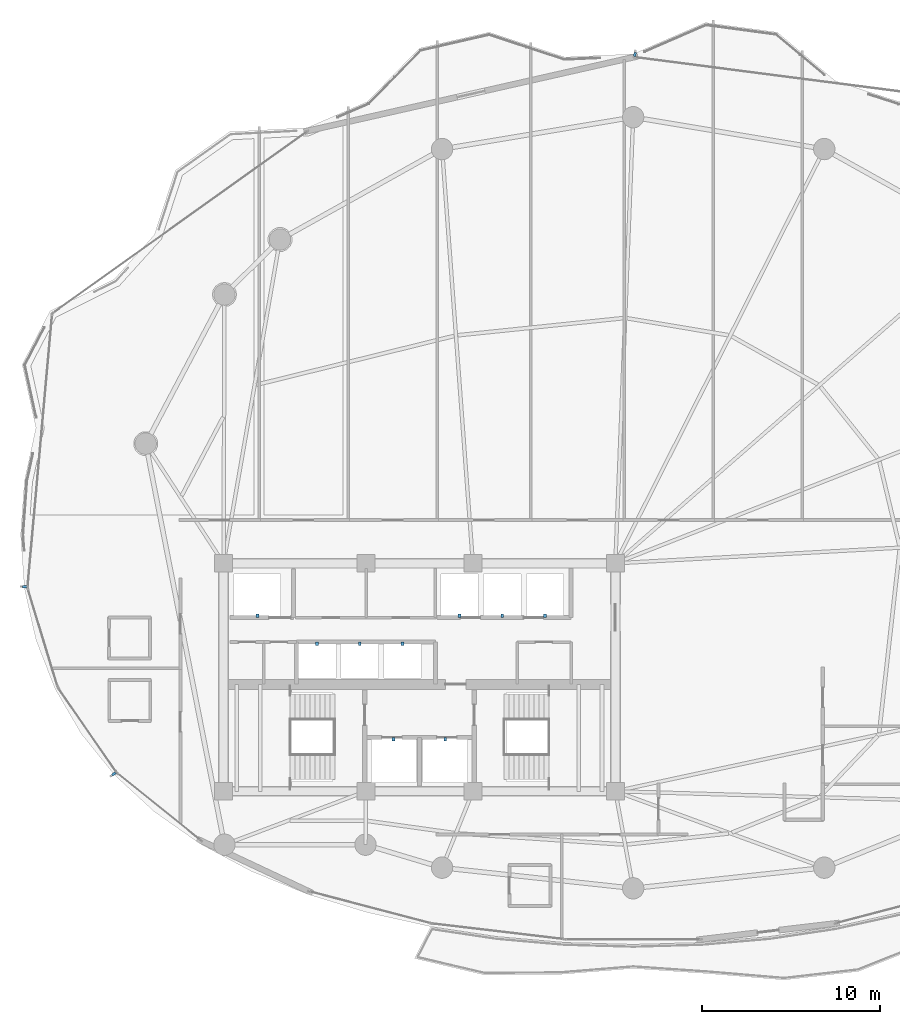
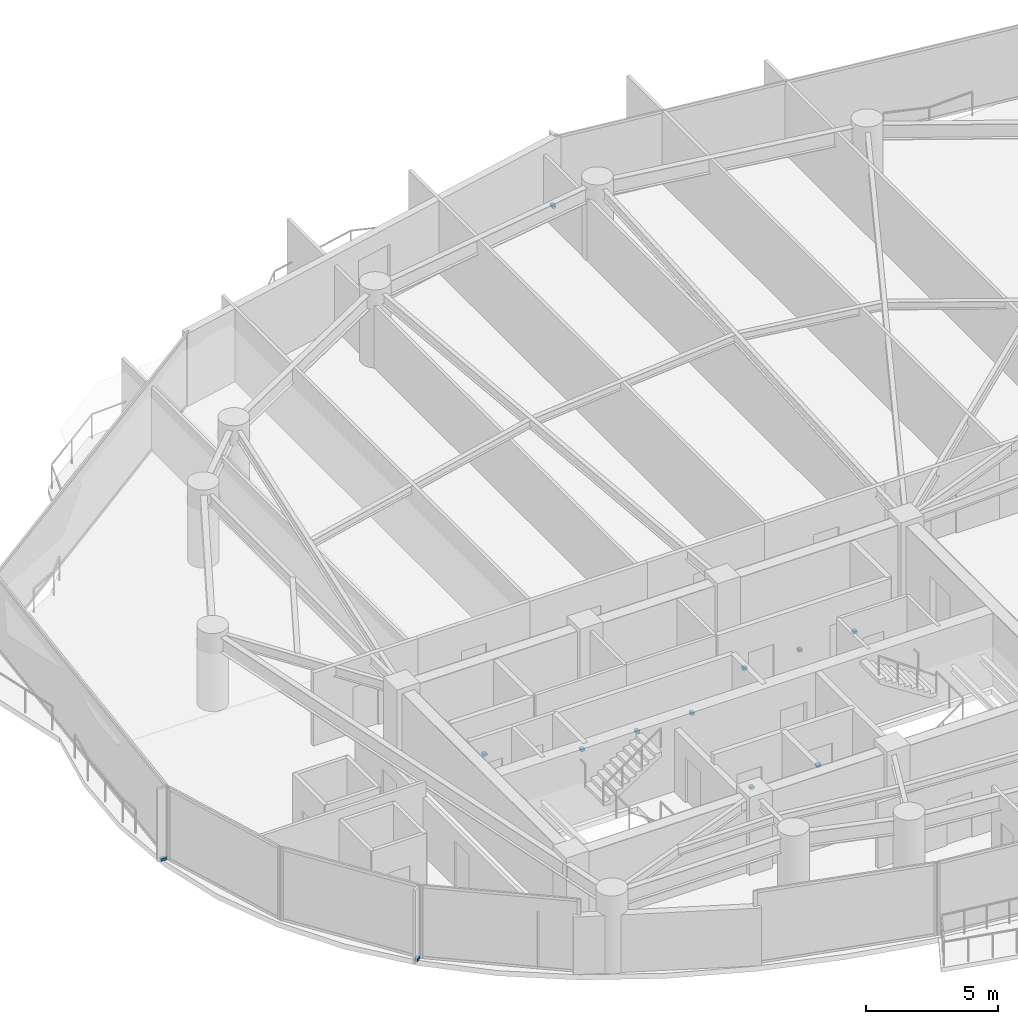
# One storey, part 29 of 33: 12 discrete accessories.
"""IFC4 building model written with IfcOpenShell, lengths in metres."""

from ifc_helpers import new_model, si_unit, direction, frame, origin, origin_2d, place, context, subcontext, project, spatial, rectangle, extrude, material, type_object, element, save


model = new_model("IFC4")

# Units and contexts
model_context = context("Model", 3, precision=1e-05, world=origin(), true_north=direction((0.0, 1.0)))
body_context = subcontext(model_context, "Body", "Model", "MODEL_VIEW")
ifc_project = project(units=[si_unit("LENGTHUNIT", "METRE"), si_unit("AREAUNIT", "SQUARE_METRE"), si_unit("VOLUMEUNIT", "CUBIC_METRE"), si_unit("PLANEANGLEUNIT", "RADIAN"), si_unit("MASSUNIT", "GRAM", prefix="KILO")], contexts=[model_context])

# Site, building, storey
site_placement = place(None, origin())
site = spatial("IfcSite", under=ifc_project, at=site_placement, CompositionType="ELEMENT")
building_placement = place(site_placement, origin())
building = spatial("IfcBuilding", under=site, at=building_placement, Name="Kazevale Care Tower and Concert Hall", CompositionType="ELEMENT")
storey_placement = place(building_placement, frame((0.0, 0.0, 149.39990234375)))
storey = spatial("IfcBuildingStorey", under=building, at=storey_placement, Name="L39", CompositionType="ELEMENT", Elevation=149.39990234375)

# Discrete accessories
ifc_material = material(Name="Stainless Steel 316", Category="steel")
discrete_accessory_type_1 = type_object("IfcDiscreteAccessoryType", Name="Facade Fin Stainless Anchor Bracket BRK-1", PredefinedType="BRACKET", material=ifc_material)
for number, where, z_axis, x_axis, name in (
    (1, (15.84130859375, 24.574462890625, 0.0), (0.0, 0.0, 1.0), (-0.823334533242, -0.567556381667, 0.0), "cw:L39:f11:brk"),
    (2, (10.829345703125, 35.0791015625, 0.0), (0.0, 0.0, 1.0), (-0.995963111248, 0.089763472712, 0.0), "cw:L39:f13:brk"),
    (3, (45.09814453125, 64.970947265625, 0.0), (0.0, 0.0, 1.0), (0.12827634114, 0.991738463661, 0.0), "cw:L39:f16:brk"),
):
    element("IfcDiscreteAccessory", number, at=place(storey_placement, frame(where, z_axis=z_axis, x_axis=x_axis)), inside=storey, type_object=discrete_accessory_type_1, Name=name, PredefinedType="BRACKET", context=body_context, shape_type="SweptSolid", body=[
        extrude(rectangle(XDim=0.239990234375, YDim=0.139892578125, at=origin_2d()), origin(), (0.0, 0.0, 1.0), 0.1201171875),
    ])
discrete_accessory_type_2 = type_object("IfcDiscreteAccessoryType", Name="Hoistway Guide-Rail Wall Bracket HBRK-1", PredefinedType="BRACKET", material=ifc_material)
for number, where, z_axis, x_axis, name in (
    (4, (31.550048828125, 26.52001953125, 1.239990234375), (0.0, 0.0, 1.0), (1.0, 0.0, 0.0), "hbrk:FFL-1:L39"),
    (5, (34.449951171875, 26.52001953125, 1.239990234375), (0.0, 0.0, 1.0), (1.0, 0.0, 0.0), "hbrk:FFL-2:L39"),
    (6, (23.89990234375, 33.449951171875, 1.239990234375), (0.0, 0.0, 1.0), (1.0, 0.0, 0.0), "hbrk:SVL-1:L39"),
    (7, (35.25, 33.449951171875, 1.239990234375), (0.0, 0.0, 1.0), (1.0, 0.0, 0.0), "hbrk:PM-1:L39"),
    (8, (37.64990234375, 33.449951171875, 1.239990234375), (0.0, 0.0, 1.0), (1.0, 0.0, 0.0), "hbrk:PM-2:L39"),
    (9, (40.050048828125, 33.449951171875, 1.239990234375), (0.0, 0.0, 1.0), (1.0, 0.0, 0.0), "hbrk:PM-3:L39"),
    (10, (27.25, 31.8798828125, 1.239990234375), (0.0, 0.0, 1.0), (1.0, 0.0, 0.0), "hbrk:PH-1:L39"),
    (11, (29.64990234375, 31.8798828125, 1.239990234375), (0.0, 0.0, 1.0), (1.0, 0.0, 0.0), "hbrk:PH-2:L39"),
    (12, (32.050048828125, 31.8798828125, 1.239990234375), (0.0, 0.0, 1.0), (1.0, 0.0, 0.0), "hbrk:PH-3:L39"),
):
    element("IfcDiscreteAccessory", number, at=place(storey_placement, frame(where, z_axis=z_axis, x_axis=x_axis)), inside=storey, type_object=discrete_accessory_type_2, Name=name, PredefinedType="BRACKET", context=body_context, shape_type="SweptSolid", body=[
        extrude(rectangle(XDim=0.159912109375, YDim=0.179931640625, at=origin_2d()), origin(), (0.0, 0.0, 1.0), 0.1201171875),
    ])

save(model, "model.ifc")
